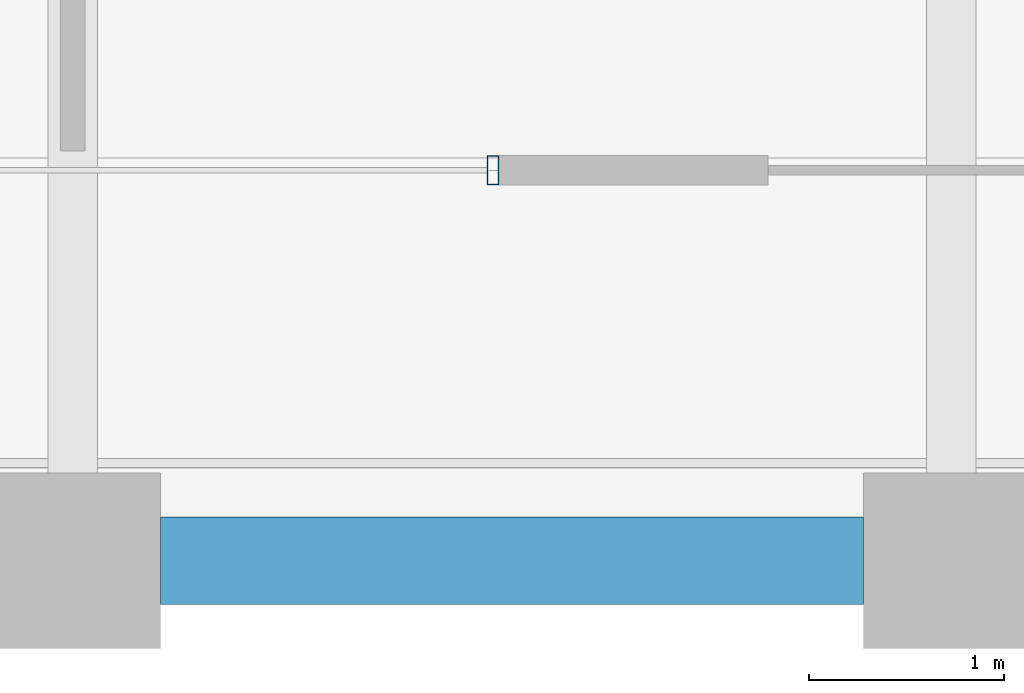
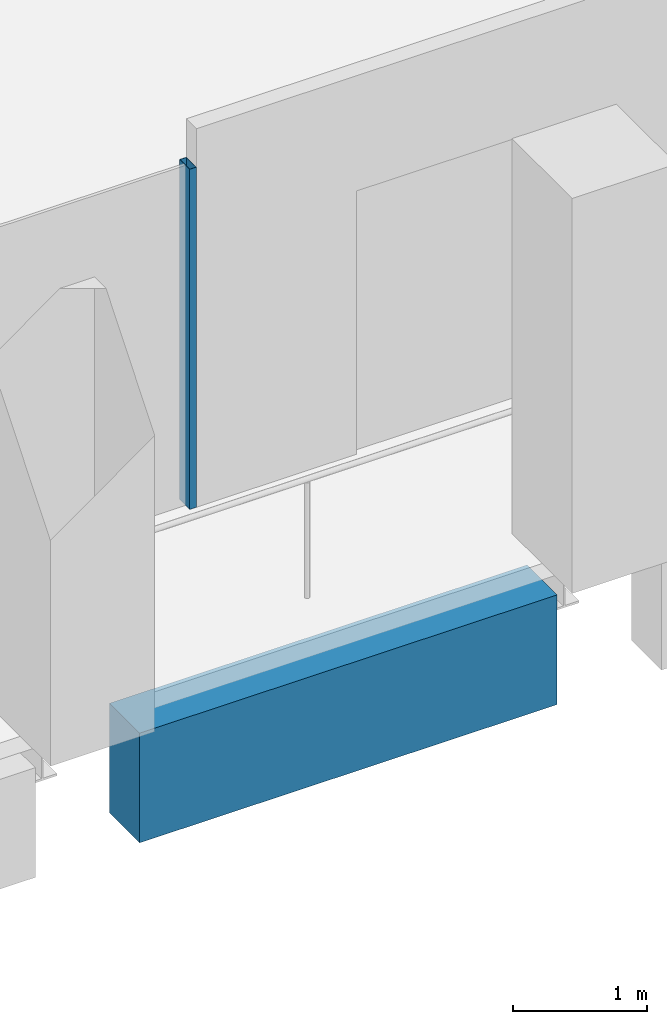
# One storey, part 7 of 40: 1 beam, 1 member, 1 element without a shape of its own.
"""IFC4 building model written with IfcOpenShell, lengths in metres."""

from ifc_helpers import new_model, si_unit, direction, frame, origin, origin_2d, place, context, subcontext, project, spatial, rectangle, hollow_rectangle, extrude, material, material_profile, profile_set, type_object, element, aggregate, save


model = new_model("IFC4")

# Units and contexts
model_context = context("Model", 3, precision=1e-05, world=origin(), true_north=direction((0.0, 1.0)))
body_context = subcontext(model_context, "Body", "Model", "MODEL_VIEW")
ifc_project = project(units=[si_unit("LENGTHUNIT", "METRE"), si_unit("AREAUNIT", "SQUARE_METRE"), si_unit("VOLUMEUNIT", "CUBIC_METRE"), si_unit("PLANEANGLEUNIT", "RADIAN"), si_unit("MASSUNIT", "GRAM", prefix="KILO")], contexts=[model_context])

# Site, building, storey
site_placement = place(None, origin())
site = spatial("IfcSite", under=ifc_project, at=site_placement, CompositionType="ELEMENT")
building_placement = place(site_placement, origin())
building = spatial("IfcBuilding", under=site, at=building_placement, Name="Altepetl Exchange Towers", CompositionType="ELEMENT")
storey_placement = place(building_placement, frame((0.0, 0.0, 151.0)))
storey = spatial("IfcBuildingStorey", under=building, at=storey_placement, Name="L37", CompositionType="ELEMENT", Elevation=151.0)

# Curtain wall, member
ifc_material_1 = material(Name="Aluminium 6063-T6 glazing", Category="aluminium")
curtain_wall_type = type_object("IfcCurtainWallType", Name="Loggia glazing system", PredefinedType="NOTDEFINED", material=ifc_material_1)
curtain_wall_placement = place(storey_placement, origin())
curtain_wall = element("IfcCurtainWall", 1, at=curtain_wall_placement, inside=storey, type_object=curtain_wall_type, Name="CW1 run", PredefinedType="NOTDEFINED")
ifc_material_2 = material(Name="Aluminium 6063-T6", Category="aluminium")
ifc_material_profile_1 = material_profile(ifc_material_2, hollow_rectangle(XDim=0.06005859375, YDim=0.14990234375, WallThickness=0.0029296875, at=origin_2d()), Name="Mullion 60x150 aluminium")
ifc_profile_set_1 = profile_set([ifc_material_profile_1], Name="Aluminium 6063-T6")
member_type = type_object("IfcMemberType", Name="Mullion 60x150 aluminium", PredefinedType="MULLION", material=ifc_profile_set_1)
member_placement = place(storey_placement, frame((47.152099609375, 29.0, 0.0)))
member = element("IfcMember", 2, at=member_placement, type_object=member_type, Name="MU1 mullion", PredefinedType="MULLION", context=body_context, shape_type="SweptSolid", body=[
    extrude(hollow_rectangle(XDim=0.06005859375, YDim=0.14990234375, WallThickness=0.0029296875, at=origin_2d()), origin(), (0.0, 0.0, 1.0), 3.10009765625),
])
aggregate(curtain_wall, [member])

# Beam
ifc_material_3 = material(Name="Concrete C50/60 precast with cantera blanca facing", Category="concrete")
ifc_material_profile_2 = material_profile(ifc_material_3, rectangle(XDim=0.449951171875, YDim=1.0, at=origin_2d()), Name="450 x 1000")
ifc_profile_set_2 = profile_set([ifc_material_profile_2], Name="Concrete C50/60 precast with cantera blanca facing")
beam_type = type_object("IfcBeamType", Name="Spandrel beam 450x1000 cantera blanca", PredefinedType="SPANDREL", material=ifc_profile_set_2)
beam_placement = place(storey_placement, frame((45.449951171875, 27.0, -0.64990234375), z_axis=(1.0, 0.0, 0.0), x_axis=(0.0, 1.0, 0.0)))
element("IfcBeam", 3, at=beam_placement, inside=storey, type_object=beam_type, Name="sp:A:L37:003", PredefinedType="SPANDREL", context=body_context, shape_type="SweptSolid", body=[
    extrude(rectangle(XDim=0.449951171875, YDim=1.0, at=origin_2d()), origin(), (0.0, 0.0, 1.0), 3.60009765625),
])

save(model, "model.ifc")
